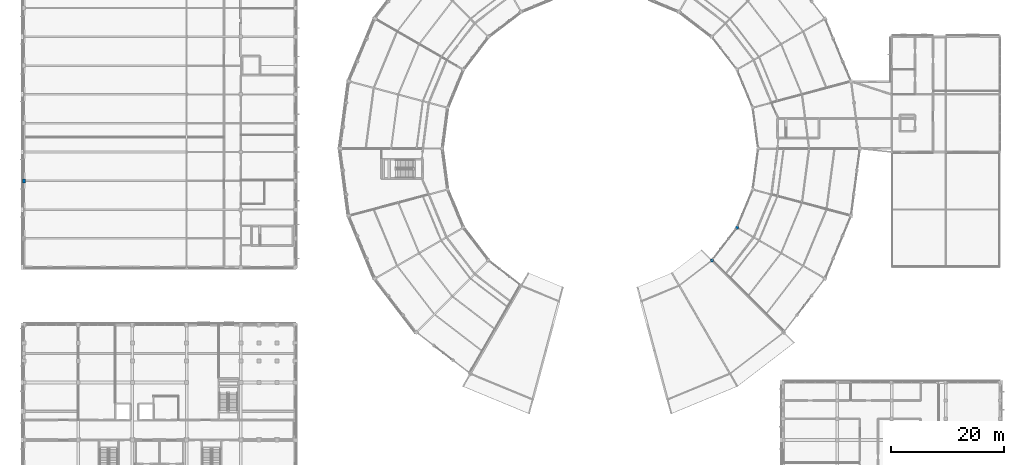
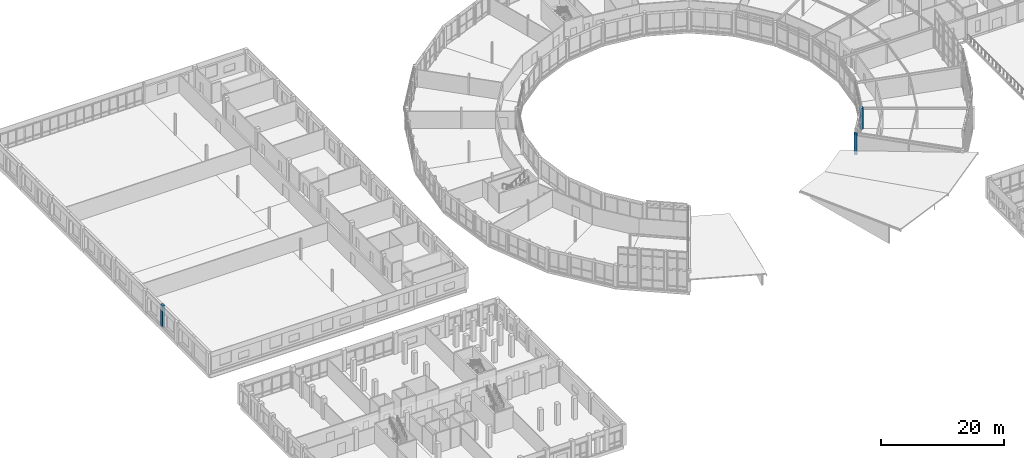
# One storey, part 5 of 185: 3 columns.
"""IFC4 building model written with IfcOpenShell, lengths in metres."""

from ifc_helpers import new_model, si_unit, direction, frame, origin, origin_2d, place, context, subcontext, project, spatial, rectangle, circle, extrude, material, material_profile, profile_set, type_object, element, save


model = new_model("IFC4")

# Units and contexts
model_context = context("Model", 3, precision=1e-05, world=origin(), true_north=direction((0.0, 1.0)))
body_context = subcontext(model_context, "Body", "Model", "MODEL_VIEW")
ifc_project = project(units=[si_unit("LENGTHUNIT", "METRE"), si_unit("AREAUNIT", "SQUARE_METRE"), si_unit("VOLUMEUNIT", "CUBIC_METRE"), si_unit("PLANEANGLEUNIT", "RADIAN"), si_unit("MASSUNIT", "GRAM", prefix="KILO")], contexts=[model_context])

# Site, building, storey
site_placement = place(None, origin())
site = spatial("IfcSite", under=ifc_project, at=site_placement, CompositionType="ELEMENT")
building_placement = place(site_placement, origin())
building = spatial("IfcBuilding", under=site, at=building_placement, Name="Vondelvale Polytechnic", CompositionType="ELEMENT")
storey_placement = place(building_placement, frame((0.0, 0.0, 9.60009765625)))
storey = spatial("IfcBuildingStorey", under=building, at=storey_placement, Name="L02", CompositionType="ELEMENT", Elevation=9.60009765625)

# Columns
ifc_material = material(Name="Concrete N50 (f'c = 50 MPa)", Category="concrete")
ifc_material_profile_1 = material_profile(ifc_material, circle(Radius=0.300048828125, at=origin_2d()), Name="RC-COL-D600")
ifc_profile_set_1 = profile_set([ifc_material_profile_1], Name="Concrete N50 (f'c = 50 MPa)")
column_type_1 = type_object("IfcColumnType", Name="COL-RCD600", PredefinedType="COLUMN", material=ifc_profile_set_1)
for number, where, z_axis, x_axis, name in (
    (1, (121.799072265625, 52.200927734375, 0.0), (0.0, 0.0, 1.0), (-0.707106781187, 0.707106781187, 0.0), "L02 courtyard ring column S21-RI"),
    (2, (126.248779296875, 58.0, 0.0), (0.0, 0.0, 1.0), (-0.866025403784, 0.5, 0.0), "L02 courtyard ring column S22-RI"),
):
    element("IfcColumn", number, at=place(storey_placement, frame(where, z_axis=z_axis, x_axis=x_axis)), inside=storey, type_object=column_type_1, Name=name, PredefinedType="COLUMN", context=body_context, shape_type="SweptSolid", body=[
        extrude(circle(Radius=0.300048828125, at=origin_2d()), origin(), (0.0, 0.0, 1.0), 4.199951171875),
    ])
ifc_material_profile_2 = material_profile(ifc_material, rectangle(XDim=0.449951171875, YDim=0.699951171875, at=origin_2d()), Name="RC-PIL-700x450")
ifc_profile_set_2 = profile_set([ifc_material_profile_2], Name="Concrete N50 (f'c = 50 MPa)")
column_type_2 = type_object("IfcColumnType", Name="PIL-RC700x450", PredefinedType="PILASTER", material=ifc_profile_set_2)
column_placement = place(storey_placement, frame((0.0, 66.300048828125, 0.0), z_axis=(0.0, 0.0, 1.0), x_axis=(1.0, 0.0, 0.0)))
element("IfcColumn", 3, at=column_placement, inside=storey, type_object=column_type_2, Name="L02 West workshop brick pilaster 2", PredefinedType="PILASTER", context=body_context, shape_type="SweptSolid", body=[
    extrude(rectangle(XDim=0.449951171875, YDim=0.699951171875, at=origin_2d()), origin(), (0.0, 0.0, 1.0), 4.199951171875),
])

save(model, "model.ifc")
